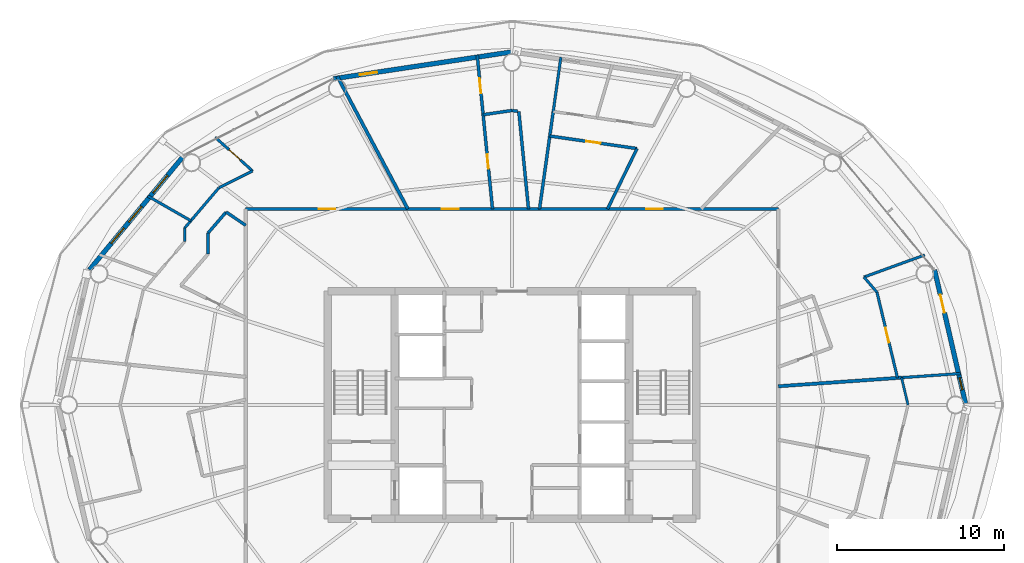
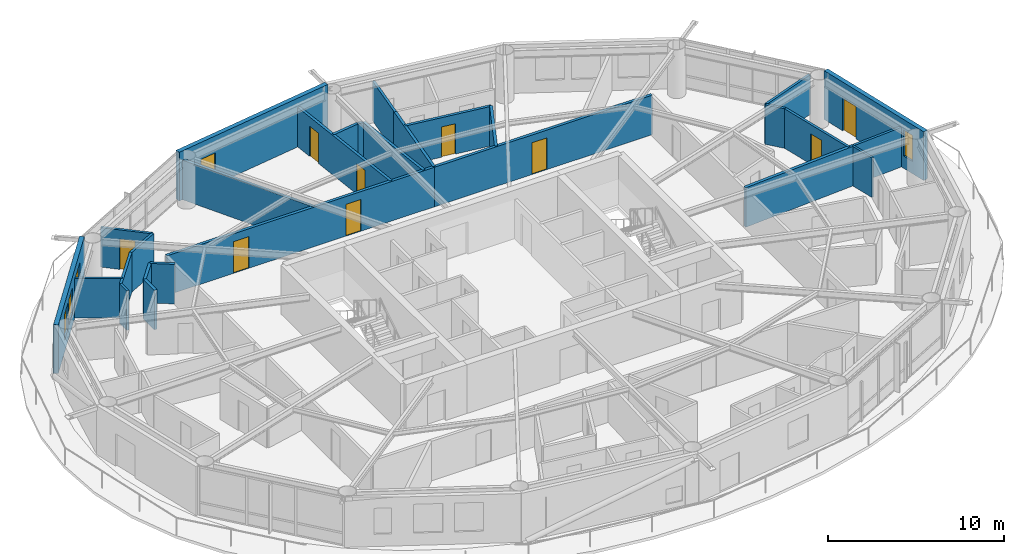
# One storey, part 24 of 28: 28 walls, 10 doors, 4 windows, 14 openings.
"""IFC4 building model written with IfcOpenShell, lengths in metres."""

from ifc_helpers import new_model, si_unit, direction, frame, frame_2d, origin, place, context, subcontext, project, spatial, rectangle, extrude, material, layer, layer_set, type_object, element, fill, save


model = new_model("IFC4")

# Units and contexts
model_context = context("Model", 3, precision=1e-05, world=origin(), true_north=direction((0.0, 1.0)))
body_context = subcontext(model_context, "Body", "Model", "MODEL_VIEW")
ifc_project = project(units=[si_unit("LENGTHUNIT", "METRE"), si_unit("AREAUNIT", "SQUARE_METRE"), si_unit("VOLUMEUNIT", "CUBIC_METRE"), si_unit("PLANEANGLEUNIT", "RADIAN"), si_unit("MASSUNIT", "GRAM", prefix="KILO")], contexts=[model_context])

# Site, building, storey
site_placement = place(None, origin())
site = spatial("IfcSite", under=ifc_project, at=site_placement, CompositionType="ELEMENT")
building_placement = place(site_placement, origin())
building = spatial("IfcBuilding", under=site, at=building_placement, Name="Sarneth Arch Tower", CompositionType="ELEMENT")
storey_placement = place(building_placement, frame((0.0, 0.0, 154.199951171875)))
storey = spatial("IfcBuildingStorey", under=building, at=storey_placement, Name="L38", CompositionType="ELEMENT", Elevation=154.199951171875)

# Wall, openings, doors
ifc_material_1 = material(Name="Double steel-stud corridor fire wall", Category="steel")
ifc_layer_1 = layer(ifc_material_1, 0.18994140625)
ifc_layer_set_1 = layer_set([ifc_layer_1], Name="Double steel-stud corridor fire wall")
wall_type_1 = type_object("IfcWallType", Name="WALL-CORR-190", PredefinedType="PARTITIONING", material=ifc_layer_set_1)
wall_1_placement = place(storey_placement, frame((32.10009765625, 53.699951171875, 0.0), z_axis=(0.0, 0.0, 1.0), x_axis=(1.0, 0.0, 0.0)))
wall_1 = element("IfcWall", 1, at=wall_1_placement, inside=storey, type_object=wall_type_1, Name="L38 Interior partition W-L38-TP-012", PredefinedType="PARTITIONING", context=body_context, shape_type="SweptSolid", body=[
    extrude(rectangle(XDim=17.576416015625, YDim=0.18994140625, at=frame_2d((8.7880859375, 0.0))), origin(), (0.0, 0.0, 1.0), 2.739990234375),
])
opening_1_placement = place(wall_1_placement, frame((4.357666015625, 0.0, 0.0)))
opening_1 = element("IfcOpeningElement", 2, at=opening_1_placement, cuts=wall_1, Name="Opening FD-08", PredefinedType="OPENING", context=body_context, shape_type="SweptSolid", body=[
    extrude(rectangle(XDim=1.0, YDim=2.199951171875, at=frame_2d((0.5, 1.10009765625))), frame((0.0, 0.10498046875, 0.0), z_axis=(0.0, -1.0, 0.0), x_axis=(1.0, 0.0, 0.0)), (0.0, 0.0, 1.0), 0.2099609375),
])
opening_2_placement = place(wall_1_placement, frame((11.70556640625, 0.0, 0.0)))
opening_2 = element("IfcOpeningElement", 3, at=opening_2_placement, cuts=wall_1, Name="Opening FD-08", PredefinedType="OPENING", context=body_context, shape_type="SweptSolid", body=[
    extrude(rectangle(XDim=1.0, YDim=2.199951171875, at=frame_2d((0.5, 1.10009765625))), frame((0.0, 0.10498046875, 0.0), z_axis=(0.0, -1.0, 0.0), x_axis=(1.0, 0.0, 0.0)), (0.0, 0.0, 1.0), 0.2099609375),
])
ifc_material_2 = material(Name="Hardwood timber acoustic fire door", Category="wood")
door_type_1 = type_object("IfcDoorType", Name="DR-FD60-1000", OperationType="SINGLE_SWING_LEFT", PredefinedType="DOOR", material=ifc_material_2)
door_1_placement = place(opening_1_placement, origin())
door_1 = element("IfcDoor", 4, at=door_1_placement, inside=storey, type_object=door_type_1, Name="L38 Interior door DR-L38-U4-ENT", OperationType="SINGLE_SWING_RIGHT", OverallHeight=2.199951171875, OverallWidth=1.0, PredefinedType="DOOR", context=body_context, shape_type="SweptSolid", body=[
    extrude(rectangle(XDim=1.0, YDim=2.199951171875, at=frame_2d((0.5, 1.10009765625))), frame((0.0, 0.02490234375, 0.0), z_axis=(0.0, -1.0, 0.0), x_axis=(1.0, 0.0, 0.0)), (0.0, 0.0, 1.0), 0.050048828125),
])
fill(opening_1, door_1)
door_2_placement = place(opening_2_placement, origin())
door_2 = element("IfcDoor", 5, at=door_2_placement, inside=storey, type_object=door_type_1, Name="L38 Interior door DR-L38-U3-ENT", OperationType="SINGLE_SWING_LEFT", OverallHeight=2.199951171875, OverallWidth=1.0, PredefinedType="DOOR", context=body_context, shape_type="SweptSolid", body=[
    extrude(rectangle(XDim=1.0, YDim=2.199951171875, at=frame_2d((0.5, 1.10009765625))), frame((0.0, 0.02490234375, 0.0), z_axis=(0.0, -1.0, 0.0), x_axis=(1.0, 0.0, 0.0)), (0.0, 0.0, 1.0), 0.050048828125),
])
fill(opening_2, door_2)

# Wall, opening, door
wall_2_placement = place(storey_placement, frame((49.612060546875, 53.699951171875, 0.0), z_axis=(0.0, 0.0, 1.0), x_axis=(1.0, 0.0, 0.0)))
wall_2 = element("IfcWall", 6, at=wall_2_placement, inside=storey, type_object=wall_type_1, Name="L38 Interior partition W-L38-TP-005", PredefinedType="PARTITIONING", context=body_context, shape_type="SweptSolid", body=[
    extrude(rectangle(XDim=14.287841796875, YDim=0.18994140625, at=frame_2d((7.14404296875, 0.0))), origin(), (0.0, 0.0, 1.0), 2.739990234375),
])
opening_3_placement = place(wall_2_placement, frame((6.39501953125, 0.0, 0.0)))
opening_3 = element("IfcOpeningElement", 7, at=opening_3_placement, cuts=wall_2, Name="Opening FD-08", PredefinedType="OPENING", context=body_context, shape_type="SweptSolid", body=[
    extrude(rectangle(XDim=1.0, YDim=2.199951171875, at=frame_2d((0.5, 1.10009765625))), frame((0.0, 0.10498046875, 0.0), z_axis=(0.0, -1.0, 0.0), x_axis=(1.0, 0.0, 0.0)), (0.0, 0.0, 1.0), 0.2099609375),
])
door_3_placement = place(opening_3_placement, origin())
door_3 = element("IfcDoor", 8, at=door_3_placement, inside=storey, type_object=door_type_1, Name="L38 Interior door DR-L38-U2-ENT", OperationType="SINGLE_SWING_LEFT", OverallHeight=2.199951171875, OverallWidth=1.0, PredefinedType="DOOR", context=body_context, shape_type="SweptSolid", body=[
    extrude(rectangle(XDim=1.0, YDim=2.199951171875, at=frame_2d((0.5, 1.10009765625))), frame((0.0, 0.02490234375, 0.0), z_axis=(0.0, -1.0, 0.0), x_axis=(1.0, 0.0, 0.0)), (0.0, 0.0, 1.0), 0.050048828125),
])
fill(opening_3, door_3)

# Wall, openings, door, window
ifc_material_3 = material(Name="Extruded terracotta rainscreen on Concrete C40/50 backing", Category="masonry")
ifc_layer_2 = layer(ifc_material_3, 0.280029296875)
ifc_layer_set_2 = layer_set([ifc_layer_2], Name="Extruded terracotta rainscreen on Concrete C40/50 backing")
wall_type_2 = type_object("IfcWallType", Name="WALL-EXT-TERRA-280", PredefinedType="SOLIDWALL", material=ifc_layer_set_2)
wall_3_placement = place(storey_placement, frame((75.099365234375, 42.0, 0.0), z_axis=(0.0, 0.0, 1.0), x_axis=(-0.225473184558, 0.974249374157, 0.0)))
wall_3 = element("IfcWall", 9, at=wall_3_placement, inside=storey, type_object=wall_type_2, Name="L38 Terracotta perimeter wall 01", PredefinedType="SOLIDWALL", context=body_context, shape_type="SweptSolid", body=[
    extrude(rectangle(XDim=8.280029296875, YDim=0.280029296875, at=frame_2d((4.14013671875, 0.0))), origin(), (0.0, 0.0, 1.0), 3.380126953125),
])
opening_4_placement = place(wall_3_placement, frame((5.643798828125, 0.0, 0.0)))
opening_4 = element("IfcOpeningElement", 10, at=opening_4_placement, cuts=wall_3, Name="Opening BD-3", PredefinedType="OPENING", context=body_context, shape_type="SweptSolid", body=[
    extrude(rectangle(XDim=1.10009765625, YDim=2.25, at=frame_2d((0.550048828125, 1.125))), frame((0.0, 0.14990234375, 0.0), z_axis=(0.0, -1.0, 0.0), x_axis=(1.0, 0.0, 0.0)), (0.0, 0.0, 1.0), 0.300048828125),
])
opening_5_placement = place(wall_3_placement, frame((0.918212890625, 0.0, 0.85009765625)))
opening_5 = element("IfcOpeningElement", 11, at=opening_5_placement, cuts=wall_3, Name="Opening W-13", PredefinedType="OPENING", context=body_context, shape_type="SweptSolid", body=[
    extrude(rectangle(XDim=0.75, YDim=1.800048828125, at=frame_2d((0.375, 0.89990234375))), frame((0.0, 0.14990234375, 0.0), z_axis=(0.0, -1.0, 0.0), x_axis=(1.0, 0.0, 0.0)), (0.0, 0.0, 1.0), 0.300048828125),
])
ifc_material_4 = material(Name="Thermally broken Aluminium 6063-T6 and laminated safety glass", Category="aluminium")
door_type_2 = type_object("IfcDoorType", Name="DR-BALC-GLZ-1100", OperationType="SINGLE_SWING_LEFT", PredefinedType="DOOR", material=ifc_material_4)
door_4_placement = place(opening_4_placement, origin())
door_4 = element("IfcDoor", 12, at=door_4_placement, inside=storey, type_object=door_type_2, Name="L38 Balcony glazed door 01", OperationType="SINGLE_SWING_LEFT", OverallHeight=2.25, OverallWidth=1.10009765625, PredefinedType="DOOR", context=body_context, shape_type="SweptSolid", body=[
    extrude(rectangle(XDim=1.10009765625, YDim=2.25, at=frame_2d((0.550048828125, 1.125))), frame((0.0, 0.02490234375, 0.0), z_axis=(0.0, -1.0, 0.0), x_axis=(1.0, 0.0, 0.0)), (0.0, 0.0, 1.0), 0.050048828125),
])
fill(opening_4, door_4)
ifc_material_5 = material(Name="Thermally broken Aluminium 6063-T6 and low-e laminated IGU", Category="aluminium")
window_type_1 = type_object("IfcWindowType", Name="WIN-TWR-750x1800", PartitioningType="SINGLE_PANEL", PredefinedType="WINDOW", material=ifc_material_5)
window_1_placement = place(opening_5_placement, origin())
window_1 = element("IfcWindow", 13, at=window_1_placement, inside=storey, type_object=window_type_1, Name="L38 Dwelling bedroom window 05", OverallHeight=1.800048828125, OverallWidth=0.75, PartitioningType="SINGLE_PANEL", PredefinedType="WINDOW", context=body_context, shape_type="SweptSolid", body=[
    extrude(rectangle(XDim=0.75, YDim=1.800048828125, at=frame_2d((0.375, 0.89990234375))), frame((0.0, 0.030029296875, 0.0), z_axis=(0.0, -1.0, 0.0), x_axis=(1.0, 0.0, 0.0)), (0.0, 0.0, 1.0), 0.06005859375),
])
fill(opening_5, window_1)

# Wall, opening, door
wall_4_placement = place(storey_placement, frame((48.0, 63.080078125, 0.0), z_axis=(0.0, 0.0, 1.0), x_axis=(-0.988863993413, -0.148822049884, 0.0)))
wall_4 = element("IfcWall", 14, at=wall_4_placement, inside=storey, type_object=wall_type_2, Name="L38 Terracotta perimeter wall 05", PredefinedType="SOLIDWALL", context=body_context, shape_type="SweptSolid", body=[
    extrude(rectangle(XDim=10.782958984375, YDim=0.280029296875, at=frame_2d((5.3916015625, 0.0))), origin(), (0.0, 0.0, 1.0), 3.380126953125),
])
opening_6_placement = place(wall_4_placement, frame((8.151123046875, 0.0, 0.0)))
opening_6 = element("IfcOpeningElement", 15, at=opening_6_placement, cuts=wall_4, Name="Opening BD-4", PredefinedType="OPENING", context=body_context, shape_type="SweptSolid", body=[
    extrude(rectangle(XDim=1.050048828125, YDim=2.199951171875, at=frame_2d((0.52490234375, 1.10009765625))), frame((0.0, 0.14990234375, 0.0), z_axis=(0.0, -1.0, 0.0), x_axis=(1.0, 0.0, 0.0)), (0.0, 0.0, 1.0), 0.300048828125),
])
ifc_material_6 = material(Name="Thermally broken Aluminium 6063-T6 and laminated safety glass", Category="aluminium")
door_type_3 = type_object("IfcDoorType", Name="DR-BALC-GLZ-1050", OperationType="SINGLE_SWING_RIGHT", PredefinedType="DOOR", material=ifc_material_6)
door_5_placement = place(opening_6_placement, origin())
door_5 = element("IfcDoor", 16, at=door_5_placement, inside=storey, type_object=door_type_3, Name="L38 Balcony glazed door 05", OperationType="SINGLE_SWING_RIGHT", OverallHeight=2.199951171875, OverallWidth=1.050048828125, PredefinedType="DOOR", context=body_context, shape_type="SweptSolid", body=[
    extrude(rectangle(XDim=1.050048828125, YDim=2.199951171875, at=frame_2d((0.52490234375, 1.10009765625))), frame((0.0, 0.02490234375, 0.0), z_axis=(0.0, -1.0, 0.0), x_axis=(1.0, 0.0, 0.0)), (0.0, 0.0, 1.0), 0.050048828125),
])
fill(opening_6, door_5)

# Wall, openings, windows
wall_5_placement = place(storey_placement, frame((28.423828125, 56.90576171875, 0.0), z_axis=(0.0, 0.0, 1.0), x_axis=(-0.637333477683, -0.770588111915, 0.0)))
wall_5 = element("IfcWall", 17, at=wall_5_placement, inside=storey, type_object=wall_type_2, Name="L38 Terracotta perimeter wall 07", PredefinedType="SOLIDWALL", context=body_context, shape_type="SweptSolid", body=[
    extrude(rectangle(XDim=8.874755859375, YDim=0.280029296875, at=frame_2d((4.4375, 0.0))), origin(), (0.0, 0.0, 1.0), 3.380126953125),
])
opening_7_placement = place(wall_5_placement, frame((1.560791015625, 0.0, 0.85009765625)))
opening_7 = element("IfcOpeningElement", 18, at=opening_7_placement, cuts=wall_5, Name="Opening W-08", PredefinedType="OPENING", context=body_context, shape_type="SweptSolid", body=[
    extrude(rectangle(XDim=1.35009765625, YDim=1.800048828125, at=frame_2d((0.675048828125, 0.89990234375))), frame((0.0, 0.14990234375, 0.0), z_axis=(0.0, -1.0, 0.0), x_axis=(1.0, 0.0, 0.0)), (0.0, 0.0, 1.0), 0.300048828125),
])
opening_8_placement = place(wall_5_placement, frame((3.97265625, 0.0, 0.85009765625)))
opening_8 = element("IfcOpeningElement", 19, at=opening_8_placement, cuts=wall_5, Name="Opening W-09", PredefinedType="OPENING", context=body_context, shape_type="SweptSolid", body=[
    extrude(rectangle(XDim=1.199951171875, YDim=1.800048828125, at=frame_2d((0.60009765625, 0.89990234375))), frame((0.0, 0.14990234375, 0.0), z_axis=(0.0, -1.0, 0.0), x_axis=(1.0, 0.0, 0.0)), (0.0, 0.0, 1.0), 0.300048828125),
])
opening_9_placement = place(wall_5_placement, frame((5.635009765625, 0.0, 0.85009765625)))
opening_9 = element("IfcOpeningElement", 20, at=opening_9_placement, cuts=wall_5, Name="Opening W-09", PredefinedType="OPENING", context=body_context, shape_type="SweptSolid", body=[
    extrude(rectangle(XDim=1.199951171875, YDim=1.800048828125, at=frame_2d((0.60009765625, 0.89990234375))), frame((0.0, 0.14990234375, 0.0), z_axis=(0.0, -1.0, 0.0), x_axis=(1.0, 0.0, 0.0)), (0.0, 0.0, 1.0), 0.300048828125),
])
ifc_material_7 = material(Name="Thermally broken Aluminium 6063-T6 and low-e laminated IGU", Category="aluminium")
window_type_2 = type_object("IfcWindowType", Name="WIN-TWR-1200x1800", PartitioningType="SINGLE_PANEL", PredefinedType="WINDOW", material=ifc_material_7)
window_2_placement = place(opening_8_placement, origin())
window_2 = element("IfcWindow", 21, at=window_2_placement, inside=storey, type_object=window_type_2, Name="L38 Exterior window 07B", OverallHeight=1.800048828125, OverallWidth=1.199951171875, PartitioningType="SINGLE_PANEL", PredefinedType="WINDOW", context=body_context, shape_type="SweptSolid", body=[
    extrude(rectangle(XDim=1.199951171875, YDim=1.800048828125, at=frame_2d((0.60009765625, 0.89990234375))), frame((0.0, 0.030029296875, 0.0), z_axis=(0.0, -1.0, 0.0), x_axis=(1.0, 0.0, 0.0)), (0.0, 0.0, 1.0), 0.06005859375),
])
fill(opening_8, window_2)
window_3_placement = place(opening_9_placement, origin())
window_3 = element("IfcWindow", 22, at=window_3_placement, inside=storey, type_object=window_type_2, Name="L38 Exterior window 07C", OverallHeight=1.800048828125, OverallWidth=1.199951171875, PartitioningType="SINGLE_PANEL", PredefinedType="WINDOW", context=body_context, shape_type="SweptSolid", body=[
    extrude(rectangle(XDim=1.199951171875, YDim=1.800048828125, at=frame_2d((0.60009765625, 0.89990234375))), frame((0.0, 0.030029296875, 0.0), z_axis=(0.0, -1.0, 0.0), x_axis=(1.0, 0.0, 0.0)), (0.0, 0.0, 1.0), 0.06005859375),
])
fill(opening_9, window_3)
ifc_material_8 = material(Name="Thermally broken Aluminium 6063-T6 and low-e laminated IGU", Category="aluminium")
window_type_3 = type_object("IfcWindowType", Name="WIN-TWR-1350x1800", PartitioningType="SINGLE_PANEL", PredefinedType="WINDOW", material=ifc_material_8)
window_4_placement = place(opening_7_placement, origin())
window_4 = element("IfcWindow", 23, at=window_4_placement, inside=storey, type_object=window_type_3, Name="L38 Exterior window 07A", OverallHeight=1.800048828125, OverallWidth=1.35009765625, PartitioningType="SINGLE_PANEL", PredefinedType="WINDOW", context=body_context, shape_type="SweptSolid", body=[
    extrude(rectangle(XDim=1.35009765625, YDim=1.800048828125, at=frame_2d((0.675048828125, 0.89990234375))), frame((0.0, 0.030029296875, 0.0), z_axis=(0.0, -1.0, 0.0), x_axis=(1.0, 0.0, 0.0)), (0.0, 0.0, 1.0), 0.06005859375),
])
fill(opening_7, window_4)

# Walls
ifc_material_9 = material(Name="Apartment internal stud partition", Category="gypsum")
ifc_layer_3 = layer(ifc_material_9, 0.139892578125)
ifc_layer_set_3 = layer_set([ifc_layer_3], Name="Apartment internal stud partition")
wall_type_3 = type_object("IfcWallType", Name="WALL-PART-140", PredefinedType="PARTITIONING", material=ifc_layer_set_3)
wall_6_placement = place(storey_placement, frame((71.648681640625, 42.0, 0.0), z_axis=(0.0, 0.0, 1.0), x_axis=(-0.231561310927, 0.972820311919, 0.0)))
element("IfcWall", 24, at=wall_6_placement, inside=storey, type_object=wall_type_3, Name="L38 Interior partition W-L38-TP-110", PredefinedType="PARTITIONING", context=body_context, shape_type="SweptSolid", body=[
    extrude(rectangle(XDim=1.672119140625, YDim=0.139892578125, at=frame_2d((0.8359375, 0.0))), origin(), (0.0, 0.0, 1.0), 2.739990234375),
])
ifc_material_10 = material(Name="Acoustic gypsum stud partition", Category="gypsum")
ifc_layer_4 = layer(ifc_material_10, 0.14990234375)
ifc_layer_set_4 = layer_set([ifc_layer_4], Name="Acoustic gypsum stud partition")
wall_type_4 = type_object("IfcWallType", Name="WALL-PART-150", PredefinedType="PARTITIONING", material=ifc_layer_set_4)
wall_7_placement = place(storey_placement, frame((28.449951171875, 52.556640625, 0.0), z_axis=(0.0, 0.0, 1.0), x_axis=(0.0, -1.0, 0.0)))
element("IfcWall", 25, at=wall_7_placement, inside=storey, type_object=wall_type_4, Name="L38 Interior partition W-L38-TP-061", PredefinedType="PARTITIONING", context=body_context, shape_type="SweptSolid", body=[
    extrude(rectangle(XDim=0.812255859375, YDim=0.14990234375, at=frame_2d((0.40625, 0.0))), origin(), (0.0, 0.0, 1.0), 2.739990234375),
])

# Wall, opening, door
ifc_material_11 = material(Name="Kitchen wet service chase wall", Category="gypsum")
ifc_layer_5 = layer(ifc_material_11, 0.159912109375)
ifc_layer_set_5 = layer_set([ifc_layer_5], Name="Kitchen wet service chase wall")
wall_type_5 = type_object("IfcWallType", Name="WALL-PLUMB-160", PredefinedType="PLUMBINGWALL", material=ifc_layer_set_5)
wall_8_placement = place(storey_placement, frame((69.793212890625, 48.7275390625, 0.0), z_axis=(0.0, 0.0, 1.0), x_axis=(0.23310450522, -0.972451690135, 0.0)))
wall_8 = element("IfcWall", 26, at=wall_8_placement, inside=storey, type_object=wall_type_5, Name="L38 Interior partition W-L38-TP-032", PredefinedType="PLUMBINGWALL", context=body_context, shape_type="SweptSolid", body=[
    extrude(rectangle(XDim=5.262939453125, YDim=0.159912109375, at=frame_2d((2.63134765625, 0.0))), origin(), (0.0, 0.0, 1.0), 2.739990234375),
])
opening_10_placement = place(wall_8_placement, frame((2.181396484375, 0.0, 0.0)))
opening_10 = element("IfcOpeningElement", 27, at=opening_10_placement, cuts=wall_8, Name="Opening ID-01", PredefinedType="OPENING", context=body_context, shape_type="SweptSolid", body=[
    extrude(rectangle(XDim=0.89990234375, YDim=2.10009765625, at=frame_2d((0.449951171875, 1.050048828125))), frame((0.0, 0.08984375, 0.0), z_axis=(0.0, -1.0, 0.0), x_axis=(1.0, 0.0, 0.0)), (0.0, 0.0, 1.0), 0.179931640625),
])
ifc_material_12 = material(Name="Engineered hardwood flush door", Category="wood")
door_type_4 = type_object("IfcDoorType", Name="DR-INT-900", OperationType="SINGLE_SWING_LEFT", PredefinedType="DOOR", material=ifc_material_12)
door_6_placement = place(opening_10_placement, origin())
door_6 = element("IfcDoor", 28, at=door_6_placement, inside=storey, type_object=door_type_4, Name="L38 Interior door DR-L38-U1-KIT", OperationType="SINGLE_SWING_RIGHT", OverallHeight=2.10009765625, OverallWidth=0.89990234375, PredefinedType="DOOR", context=body_context, shape_type="SweptSolid", body=[
    extrude(rectangle(XDim=0.89990234375, YDim=2.10009765625, at=frame_2d((0.449951171875, 1.050048828125))), frame((0.0, 0.02490234375, 0.0), z_axis=(0.0, -1.0, 0.0), x_axis=(1.0, 0.0, 0.0)), (0.0, 0.0, 1.0), 0.050048828125),
])
fill(opening_10, door_6)

# Walls
wall_9_placement = place(storey_placement, frame((72.6474609375, 50.951416015625, 0.0), z_axis=(0.0, 0.0, 1.0), x_axis=(-0.939926248806, -0.341377572206, 0.0)))
element("IfcWall", 29, at=wall_9_placement, inside=storey, type_object=wall_type_5, Name="L38 Interior partition W-L38-TP-030", PredefinedType="PLUMBINGWALL", context=body_context, shape_type="SweptSolid", body=[
    extrude(rectangle(XDim=3.86181640625, YDim=0.159912109375, at=frame_2d((1.930908203125, 0.0))), origin(), (0.0, 0.0, 1.0), 2.739990234375),
])
wall_10_placement = place(storey_placement, frame((71.261474609375, 43.626708984375, 0.0), z_axis=(0.0, 0.0, 1.0), x_axis=(0.997563824095, 0.069759707979, 0.0)))
element("IfcWall", 30, at=wall_10_placement, inside=storey, type_object=wall_type_5, Name="L38 Interior partition W-L38-TP-036", PredefinedType="PLUMBINGWALL", context=body_context, shape_type="SweptSolid", body=[
    extrude(rectangle(XDim=3.53466796875, YDim=0.159912109375, at=frame_2d((1.767333984375, 0.0))), origin(), (0.0, 0.0, 1.0), 2.739990234375),
])
wall_11_placement = place(storey_placement, frame((50.91796875, 62.76220703125, 0.0), z_axis=(0.0, 0.0, 1.0), x_axis=(-0.139198258336, -0.990264532777, 0.0)))
element("IfcWall", 31, at=wall_11_placement, inside=storey, type_object=wall_type_5, Name="L38 Interior partition W-L38-TP-045", PredefinedType="PLUMBINGWALL", context=body_context, shape_type="SweptSolid", body=[
    extrude(rectangle(XDim=3.30615234375, YDim=0.159912109375, at=frame_2d((1.653076171875, 0.0))), origin(), (0.0, 0.0, 1.0), 2.739990234375),
])

# Wall, opening, door
wall_12_placement = place(storey_placement, frame((32.51171875, 55.966552734375, 0.0), z_axis=(0.0, 0.0, 1.0), x_axis=(-0.74263222061, 0.669699473579, 0.0)))
wall_12 = element("IfcWall", 32, at=wall_12_placement, inside=storey, type_object=wall_type_5, Name="L38 Interior partition W-L38-TP-054", PredefinedType="PLUMBINGWALL", context=body_context, shape_type="SweptSolid", body=[
    extrude(rectangle(XDim=3.00927734375, YDim=0.159912109375, at=frame_2d((1.504638671875, 0.0))), origin(), (0.0, 0.0, 1.0), 2.739990234375),
])
opening_11_placement = place(wall_12_placement, frame((0.99462890625, 0.0, 0.0)))
opening_11 = element("IfcOpeningElement", 33, at=opening_11_placement, cuts=wall_12, Name="Opening ID-01", PredefinedType="OPENING", context=body_context, shape_type="SweptSolid", body=[
    extrude(rectangle(XDim=0.89990234375, YDim=2.10009765625, at=frame_2d((0.449951171875, 1.050048828125))), frame((0.0, 0.08984375, 0.0), z_axis=(0.0, -1.0, 0.0), x_axis=(1.0, 0.0, 0.0)), (0.0, 0.0, 1.0), 0.179931640625),
])
door_7_placement = place(opening_11_placement, origin())
door_7 = element("IfcDoor", 34, at=door_7_placement, inside=storey, type_object=door_type_4, Name="L38 Interior door DR-L38-U4-KIT", OperationType="SINGLE_SWING_RIGHT", OverallHeight=2.10009765625, OverallWidth=0.89990234375, PredefinedType="DOOR", context=body_context, shape_type="SweptSolid", body=[
    extrude(rectangle(XDim=0.89990234375, YDim=2.10009765625, at=frame_2d((0.449951171875, 1.050048828125))), frame((0.0, 0.02490234375, 0.0), z_axis=(0.0, -1.0, 0.0), x_axis=(1.0, 0.0, 0.0)), (0.0, 0.0, 1.0), 0.050048828125),
])
fill(opening_11, door_7)

# Walls
wall_13_placement = place(storey_placement, frame((26.254638671875, 54.46875, 0.0), z_axis=(0.0, 0.0, 1.0), x_axis=(0.867481094493, -0.497470150558, 0.0)))
element("IfcWall", 35, at=wall_13_placement, inside=storey, type_object=wall_type_5, Name="L38 Interior partition W-L38-TP-067", PredefinedType="PLUMBINGWALL", context=body_context, shape_type="SweptSolid", body=[
    extrude(rectangle(XDim=2.961181640625, YDim=0.159912109375, at=frame_2d((1.48046875, 0.0))), origin(), (0.0, 0.0, 1.0), 2.739990234375),
])
wall_14_placement = place(storey_placement, frame((28.449951171875, 52.556640625, 0.0), z_axis=(0.0, 0.0, 1.0), x_axis=(0.647888606369, 0.761735094201, 0.0)))
element("IfcWall", 36, at=wall_14_placement, inside=storey, type_object=wall_type_5, Name="L38 Interior partition W-L38-TP-052", PredefinedType="PLUMBINGWALL", context=body_context, shape_type="SweptSolid", body=[
    extrude(rectangle(XDim=3.15673828125, YDim=0.159912109375, at=frame_2d((1.578369140625, 0.0))), origin(), (0.0, 0.0, 1.0), 2.739990234375),
])
wall_15_placement = place(storey_placement, frame((30.4951171875, 54.961181640625, 0.0), z_axis=(0.0, 0.0, 1.0), x_axis=(0.894946652065, 0.446173161405, 0.0)))
element("IfcWall", 37, at=wall_15_placement, inside=storey, type_object=wall_type_5, Name="L38 Interior partition W-L38-TP-053", PredefinedType="PLUMBINGWALL", context=body_context, shape_type="SweptSolid", body=[
    extrude(rectangle(XDim=2.25341796875, YDim=0.159912109375, at=frame_2d((1.126708984375, 0.0))), origin(), (0.0, 0.0, 1.0), 2.739990234375),
])
wall_16_placement = place(storey_placement, frame((69.017578125, 49.633056640625, 0.0), z_axis=(0.0, 0.0, 1.0), x_axis=(0.650538392346, -0.759473370227, 0.0)))
element("IfcWall", 38, at=wall_16_placement, inside=storey, type_object=wall_type_5, Name="L38 Interior partition W-L38-TP-031", PredefinedType="PLUMBINGWALL", context=body_context, shape_type="SweptSolid", body=[
    extrude(rectangle(XDim=1.1923828125, YDim=0.159912109375, at=frame_2d((0.59619140625, 0.0))), origin(), (0.0, 0.0, 1.0), 2.739990234375),
])
ifc_material_13 = material(Name="Moisture-resistant plumbing chase wall", Category="gypsum")
ifc_layer_6 = layer(ifc_material_13, 0.179931640625)
ifc_layer_set_6 = layer_set([ifc_layer_6], Name="Moisture-resistant plumbing chase wall")
wall_type_6 = type_object("IfcWallType", Name="WALL-PLUMB-180", PredefinedType="PLUMBINGWALL", material=ifc_layer_set_6)
wall_17_placement = place(storey_placement, frame((48.407470703125, 59.520751953125, 0.0), z_axis=(0.0, 0.0, 1.0), x_axis=(0.098958231484, -0.995091587956, 0.0)))
element("IfcWall", 39, at=wall_17_placement, inside=storey, type_object=wall_type_6, Name="L38 Interior partition W-L38-TP-051", PredefinedType="PLUMBINGWALL", context=body_context, shape_type="SweptSolid", body=[
    extrude(rectangle(XDim=5.849609375, YDim=0.179931640625, at=frame_2d((2.9248046875, 0.0))), origin(), (0.0, 0.0, 1.0), 2.739990234375),
])

# Wall, openings, doors
wall_18_placement = place(storey_placement, frame((45.92236328125, 62.888427734375, 0.0), z_axis=(0.0, 0.0, 1.0), x_axis=(0.098964435759, -0.995090970944, 0.0)))
wall_18 = element("IfcWall", 40, at=wall_18_placement, inside=storey, type_object=wall_type_6, Name="L38 Interior partition W-L38-TP-046", PredefinedType="PLUMBINGWALL", context=body_context, shape_type="SweptSolid", body=[
    extrude(rectangle(XDim=9.23388671875, YDim=0.179931640625, at=frame_2d((4.616943359375, 0.0))), origin(), (0.0, 0.0, 1.0), 2.739990234375),
])
opening_12_placement = place(wall_18_placement, frame((5.964111328125, 0.0, 0.0)))
opening_12 = element("IfcOpeningElement", 41, at=opening_12_placement, cuts=wall_18, Name="Opening ID-02", PredefinedType="OPENING", context=body_context, shape_type="SweptSolid", body=[
    extrude(rectangle(XDim=0.85009765625, YDim=2.10009765625, at=frame_2d((0.425048828125, 1.050048828125))), frame((0.0, 0.099853515625, 0.0), z_axis=(0.0, -1.0, 0.0), x_axis=(1.0, 0.0, 0.0)), (0.0, 0.0, 1.0), 0.199951171875),
])
opening_13_placement = place(wall_18_placement, frame((1.398193359375, 0.0, 0.0)))
opening_13 = element("IfcOpeningElement", 42, at=opening_13_placement, cuts=wall_18, Name="Opening ID-01", PredefinedType="OPENING", context=body_context, shape_type="SweptSolid", body=[
    extrude(rectangle(XDim=0.89990234375, YDim=2.10009765625, at=frame_2d((0.449951171875, 1.050048828125))), frame((0.0, 0.099853515625, 0.0), z_axis=(0.0, -1.0, 0.0), x_axis=(1.0, 0.0, 0.0)), (0.0, 0.0, 1.0), 0.199951171875),
])
ifc_material_14 = material(Name="Moisture-resistant bathroom timber door", Category="wood")
door_type_5 = type_object("IfcDoorType", Name="DR-INT-850", OperationType="SINGLE_SWING_RIGHT", PredefinedType="DOOR", material=ifc_material_14)
door_8_placement = place(opening_12_placement, origin())
door_8 = element("IfcDoor", 43, at=door_8_placement, inside=storey, type_object=door_type_5, Name="L38 Interior door DR-L38-U3-BATH", OperationType="SINGLE_SWING_RIGHT", OverallHeight=2.10009765625, OverallWidth=0.85009765625, PredefinedType="DOOR", context=body_context, shape_type="SweptSolid", body=[
    extrude(rectangle(XDim=0.85009765625, YDim=2.10009765625, at=frame_2d((0.425048828125, 1.050048828125))), frame((0.0, 0.02490234375, 0.0), z_axis=(0.0, -1.0, 0.0), x_axis=(1.0, 0.0, 0.0)), (0.0, 0.0, 1.0), 0.050048828125),
])
fill(opening_12, door_8)
door_9_placement = place(opening_13_placement, origin())
door_9 = element("IfcDoor", 44, at=door_9_placement, inside=storey, type_object=door_type_4, Name="L38 Interior door DR-L38-U3-KIT", OperationType="SINGLE_SWING_LEFT", OverallHeight=2.10009765625, OverallWidth=0.89990234375, PredefinedType="DOOR", context=body_context, shape_type="SweptSolid", body=[
    extrude(rectangle(XDim=0.89990234375, YDim=2.10009765625, at=frame_2d((0.449951171875, 1.050048828125))), frame((0.0, 0.02490234375, 0.0), z_axis=(0.0, -1.0, 0.0), x_axis=(1.0, 0.0, 0.0)), (0.0, 0.0, 1.0), 0.050048828125),
])
fill(opening_13, door_9)

# Wall, opening, door
wall_19_placement = place(storey_placement, frame((55.465576171875, 57.306884765625, 0.0), z_axis=(0.0, 0.0, 1.0), x_axis=(-0.989825713309, 0.142285126674, 0.0)))
wall_19 = element("IfcWall", 45, at=wall_19_placement, inside=storey, type_object=wall_type_6, Name="L38 Interior partition W-L38-TP-040", PredefinedType="PLUMBINGWALL", context=body_context, shape_type="SweptSolid", body=[
    extrude(rectangle(XDim=5.262451171875, YDim=0.179931640625, at=frame_2d((2.63134765625, 0.0))), origin(), (0.0, 0.0, 1.0), 2.739990234375),
])
opening_14_placement = place(wall_19_placement, frame((2.206298828125, 0.0, 0.0)))
opening_14 = element("IfcOpeningElement", 46, at=opening_14_placement, cuts=wall_19, Name="Opening ID-02", PredefinedType="OPENING", context=body_context, shape_type="SweptSolid", body=[
    extrude(rectangle(XDim=0.85009765625, YDim=2.10009765625, at=frame_2d((0.425048828125, 1.050048828125))), frame((0.0, 0.099853515625, 0.0), z_axis=(0.0, -1.0, 0.0), x_axis=(1.0, 0.0, 0.0)), (0.0, 0.0, 1.0), 0.199951171875),
])
door_10_placement = place(opening_14_placement, origin())
door_10 = element("IfcDoor", 47, at=door_10_placement, inside=storey, type_object=door_type_5, Name="L38 Interior door DR-L38-U2-BATH", OperationType="SINGLE_SWING_LEFT", OverallHeight=2.10009765625, OverallWidth=0.85009765625, PredefinedType="DOOR", context=body_context, shape_type="SweptSolid", body=[
    extrude(rectangle(XDim=0.85009765625, YDim=2.10009765625, at=frame_2d((0.425048828125, 1.050048828125))), frame((0.0, 0.02490234375, 0.0), z_axis=(0.0, -1.0, 0.0), x_axis=(1.0, 0.0, 0.0)), (0.0, 0.0, 1.0), 0.050048828125),
])
fill(opening_14, door_10)

# Walls
wall_20_placement = place(storey_placement, frame((50.466796875, 59.551513671875, 0.0), z_axis=(0.0, 0.0, 1.0), x_axis=(-0.139194058732, -0.990265123093, 0.0)))
element("IfcWall", 48, at=wall_20_placement, inside=storey, type_object=wall_type_6, Name="L38 Interior partition W-L38-TP-044", PredefinedType="PLUMBINGWALL", context=body_context, shape_type="SweptSolid", body=[
    extrude(rectangle(XDim=5.9091796875, YDim=0.179931640625, at=frame_2d((2.95458984375, 0.0))), origin(), (0.0, 0.0, 1.0), 2.739990234375),
])
wall_21_placement = place(storey_placement, frame((53.70654296875, 53.699951171875, 0.0), z_axis=(0.0, 0.0, 1.0), x_axis=(0.438333733087, 0.898812293217, 0.0)))
element("IfcWall", 49, at=wall_21_placement, inside=storey, type_object=wall_type_6, Name="L38 Interior partition W-L38-TP-039", PredefinedType="PLUMBINGWALL", context=body_context, shape_type="SweptSolid", body=[
    extrude(rectangle(XDim=4.012939453125, YDim=0.179931640625, at=frame_2d((2.00634765625, 0.0))), origin(), (0.0, 0.0, 1.0), 2.739990234375),
])
wall_22_placement = place(storey_placement, frame((46.2763671875, 59.32958984375, 0.0), z_axis=(0.0, 0.0, 1.0), x_axis=(0.989604582355, 0.143815056869, 0.0)))
element("IfcWall", 50, at=wall_22_placement, inside=storey, type_object=wall_type_6, Name="L38 Interior partition W-L38-TP-049", PredefinedType="PLUMBINGWALL", context=body_context, shape_type="SweptSolid", body=[
    extrude(rectangle(XDim=1.74169921875, YDim=0.179931640625, at=frame_2d((0.870849609375, 0.0))), origin(), (0.0, 0.0, 1.0), 2.739990234375),
])
wall_23_placement = place(storey_placement, frame((29.85009765625, 52.261962890625, 0.0), z_axis=(0.0, 0.0, 1.0), x_axis=(0.652334661778, 0.757931058239, 0.0)))
element("IfcWall", 51, at=wall_23_placement, inside=storey, type_object=wall_type_6, Name="L38 Interior partition W-L38-TP-058", PredefinedType="PLUMBINGWALL", context=body_context, shape_type="SweptSolid", body=[
    extrude(rectangle(XDim=1.653076171875, YDim=0.179931640625, at=frame_2d((0.82666015625, 0.0))), origin(), (0.0, 0.0, 1.0), 2.739990234375),
])
wall_24_placement = place(storey_placement, frame((30.928466796875, 53.514892578125, 0.0), z_axis=(0.0, 0.0, 1.0), x_axis=(0.829034879431, -0.55919689617, 0.0)))
element("IfcWall", 52, at=wall_24_placement, inside=storey, type_object=wall_type_6, Name="L38 Interior partition W-L38-TP-059", PredefinedType="PLUMBINGWALL", context=body_context, shape_type="SweptSolid", body=[
    extrude(rectangle(XDim=1.413330078125, YDim=0.179931640625, at=frame_2d((0.70654296875, 0.0))), origin(), (0.0, 0.0, 1.0), 2.739990234375),
])
wall_25_placement = place(storey_placement, frame((29.85009765625, 51.0126953125, 0.0), z_axis=(0.0, 0.0, 1.0), x_axis=(0.0, 1.0, 0.0)))
element("IfcWall", 53, at=wall_25_placement, inside=storey, type_object=wall_type_6, Name="L38 Interior partition W-L38-TP-057", PredefinedType="PLUMBINGWALL", context=body_context, shape_type="SweptSolid", body=[
    extrude(rectangle(XDim=1.249267578125, YDim=0.179931640625, at=frame_2d((0.62451171875, 0.0))), origin(), (0.0, 0.0, 1.0), 2.739990234375),
])
wall_26_placement = place(storey_placement, frame((48.011962890625, 59.578369140625, 0.0), z_axis=(0.0, 0.0, 1.0), x_axis=(0.989603801202, -0.143820431952, 0.0)))
element("IfcWall", 54, at=wall_26_placement, inside=storey, type_object=wall_type_6, Name="L38 Interior partition W-L38-TP-050", PredefinedType="PLUMBINGWALL", context=body_context, shape_type="SweptSolid", body=[
    extrude(rectangle(XDim=0.32763671875, YDim=0.179931640625, at=frame_2d((0.163818359375, 0.0))), origin(), (0.0, 0.0, 1.0), 2.739990234375),
])
ifc_material_15 = material(Name="Double steel-stud acoustic drywall", Category="steel")
ifc_layer_7 = layer(ifc_material_15, 0.199951171875)
ifc_layer_set_7 = layer_set([ifc_layer_7], Name="Double steel-stud acoustic drywall")
wall_type_7 = type_object("IfcWallType", Name="WALL-UNIT-200", PredefinedType="PARTITIONING", material=ifc_layer_set_7)
wall_27_placement = place(storey_placement, frame((37.565673828125, 61.624267578125, 0.0), z_axis=(0.0, 0.0, 1.0), x_axis=(0.469466796814, -0.882950126955, 0.0)))
element("IfcWall", 55, at=wall_27_placement, inside=storey, type_object=wall_type_7, Name="L38 Interior partition W-L38-TP-048", PredefinedType="PARTITIONING", context=body_context, shape_type="SweptSolid", body=[
    extrude(rectangle(XDim=8.974853515625, YDim=0.199951171875, at=frame_2d((4.4873046875, 0.0))), origin(), (0.0, 0.0, 1.0), 2.739990234375),
])
wall_28_placement = place(storey_placement, frame((71.261474609375, 43.626708984375, 0.0), z_axis=(0.0, 0.0, 1.0), x_axis=(-0.997562906323, -0.069772830877, 0.0)))
element("IfcWall", 56, at=wall_28_placement, inside=storey, type_object=wall_type_7, Name="L38 Interior partition W-L38-TP-034", PredefinedType="PARTITIONING", context=body_context, shape_type="SweptSolid", body=[
    extrude(rectangle(XDim=7.379638671875, YDim=0.199951171875, at=frame_2d((3.68994140625, 0.0))), origin(), (0.0, 0.0, 1.0), 2.739990234375),
])

save(model, "model.ifc")
